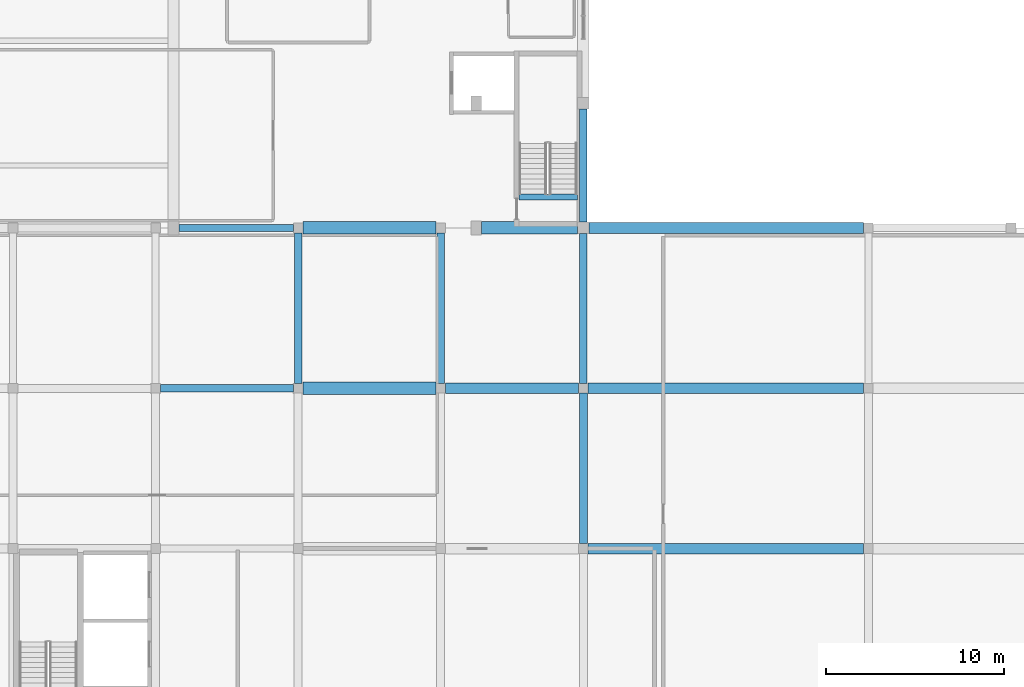
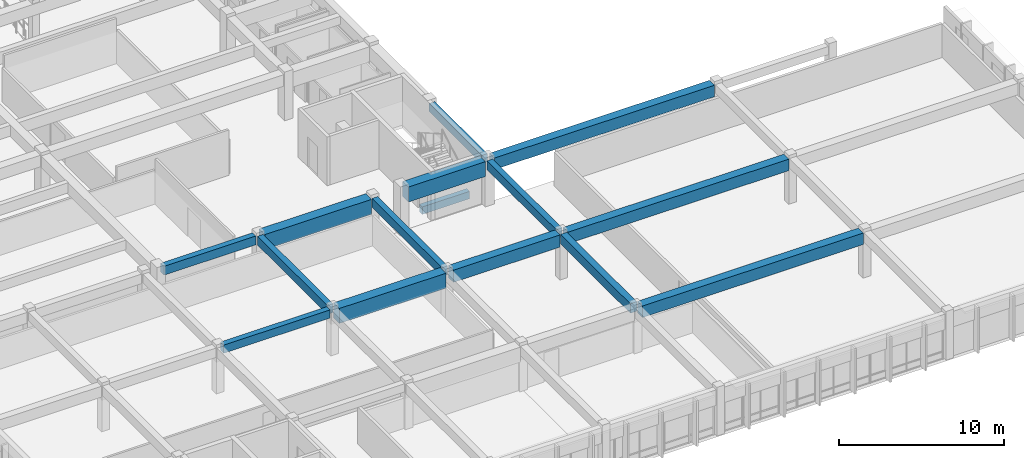
# One storey, part 32 of 77: 15 beams.
"""IFC4 building model written with IfcOpenShell, lengths in metres."""

from ifc_helpers import new_model, si_unit, direction, frame, origin, origin_2d, place, context, subcontext, project, spatial, rectangle, extrude, material, material_profile, profile_set, type_object, element, save


model = new_model("IFC4")

# Units and contexts
model_context = context("Model", 3, precision=1e-05, world=origin(), true_north=direction((0.0, 1.0)))
body_context = subcontext(model_context, "Body", "Model", "MODEL_VIEW")
ifc_project = project(units=[si_unit("LENGTHUNIT", "METRE"), si_unit("AREAUNIT", "SQUARE_METRE"), si_unit("VOLUMEUNIT", "CUBIC_METRE"), si_unit("PLANEANGLEUNIT", "RADIAN"), si_unit("MASSUNIT", "GRAM", prefix="KILO")], contexts=[model_context])

# Site, building, storey
site_placement = place(None, origin())
site = spatial("IfcSite", under=ifc_project, at=site_placement, CompositionType="ELEMENT")
building_placement = place(site_placement, origin())
building = spatial("IfcBuilding", under=site, at=building_placement, Name="Larkveld Mobility Hub", CompositionType="ELEMENT")
storey_placement = place(building_placement, frame((0.0, 0.0, 12.0)))
storey = spatial("IfcBuildingStorey", under=building, at=storey_placement, Name="L03", CompositionType="ELEMENT", Elevation=12.0)

# Beams
ifc_material_1 = material(Name="Precast concrete C50/60", Category="concrete")
ifc_material_profile_1 = material_profile(ifc_material_1, rectangle(XDim=0.60009765625, YDim=0.85009765625, at=origin_2d()), Name="PC ITB 600x850")
ifc_profile_set_1 = profile_set([ifc_material_profile_1], Name="Precast concrete C50/60")
beam_type_1 = type_object("IfcBeamType", Name="BM-ITB6085", PredefinedType="T_BEAM", material=ifc_profile_set_1)
for number, where, z_axis, x_axis, name in (
    (1, (152.27490234375, 10.0, 2.93505859375), (1.0, 0.0, 0.0), (0.0, 1.0, 0.0), "Primary E-W Girder L03-0704"),
    (2, (152.27490234375, 19.0, 2.93505859375), (1.0, 0.0, 0.0), (0.0, 1.0, 0.0), "Primary E-W Girder L03-0711"),
):
    element("IfcBeam", number, at=place(storey_placement, frame(where, z_axis=z_axis, x_axis=x_axis)), inside=storey, type_object=beam_type_1, Name=name, PredefinedType="T_BEAM", context=body_context, shape_type="SweptSolid", body=[
        extrude(rectangle(XDim=0.60009765625, YDim=0.85009765625, at=origin_2d()), origin(), (0.0, 0.0, 1.0), 15.4501953125),
    ])
beam_1_placement = place(storey_placement, frame((152.324951171875, 28.0, 2.93505859375), z_axis=(1.0, 0.0, 0.0), x_axis=(0.0, 1.0, 0.0)))
element("IfcBeam", 3, at=beam_1_placement, inside=storey, type_object=beam_type_1, Name="Primary E-W Girder L03-0718", PredefinedType="T_BEAM", context=body_context, shape_type="SweptSolid", body=[
    extrude(rectangle(XDim=0.60009765625, YDim=0.85009765625, at=origin_2d()), origin(), (0.0, 0.0, 1.0), 15.400146484375),
])
ifc_material_2 = material(Name="Concrete C40/50", Category="concrete")
ifc_material_profile_2 = material_profile(ifc_material_2, rectangle(XDim=0.35009765625, YDim=0.550048828125, at=origin_2d()), Name="RC BM 350x550")
ifc_profile_set_2 = profile_set([ifc_material_profile_2], Name="Concrete C40/50")
beam_type_2 = type_object("IfcBeamType", Name="BM-RC3555", PredefinedType="BEAM", material=ifc_profile_set_2)
beam_2_placement = place(storey_placement, frame((148.3798828125, 29.739990234375, -0.27001953125), z_axis=(1.0, 0.0, 0.0), x_axis=(0.0, 1.0, 0.0)))
element("IfcBeam", 4, at=beam_2_placement, inside=storey, type_object=beam_type_2, Name="Core C1 Stair Header Beam L03", PredefinedType="BEAM", context=body_context, shape_type="SweptSolid", body=[
    extrude(rectangle(XDim=0.35009765625, YDim=0.550048828125, at=origin_2d()), origin(), (0.0, 0.0, 1.0), 3.2900390625),
])
ifc_material_profile_3 = material_profile(ifc_material_2, rectangle(XDim=0.39990234375, YDim=0.60009765625, at=origin_2d()), Name="RC BM 400x600")
ifc_profile_set_3 = profile_set([ifc_material_profile_3], Name="Concrete C40/50")
beam_type_3 = type_object("IfcBeamType", Name="BM-RC4060", PredefinedType="BEAM", material=ifc_profile_set_3)
beam_3_placement = place(storey_placement, frame((128.27490234375, 19.0, 3.06005859375), z_axis=(1.0, 0.0, 0.0), x_axis=(0.0, 1.0, 0.0)))
element("IfcBeam", 5, at=beam_3_placement, inside=storey, type_object=beam_type_3, Name="Primary E-W Girder L03-0708", PredefinedType="BEAM", context=body_context, shape_type="SweptSolid", body=[
    extrude(rectangle(XDim=0.39990234375, YDim=0.60009765625, at=origin_2d()), origin(), (0.0, 0.0, 1.0), 7.4501953125),
])
beam_4_placement = place(storey_placement, frame((152.0, 28.324951171875, 3.06005859375), z_axis=(0.0, 1.0, 0.0), x_axis=(-1.0, 0.0, 0.0)))
element("IfcBeam", 6, at=beam_4_placement, inside=storey, type_object=beam_type_3, Name="Primary N-S Girder L03-0837", PredefinedType="BEAM", context=body_context, shape_type="SweptSolid", body=[
    extrude(rectangle(XDim=0.39990234375, YDim=0.60009765625, at=origin_2d()), origin(), (0.0, 0.0, 1.0), 6.35009765625),
])
ifc_material_profile_4 = material_profile(ifc_material_2, rectangle(XDim=0.39990234375, YDim=0.64990234375, at=origin_2d()), Name="RC BM 400x650")
ifc_profile_set_4 = profile_set([ifc_material_profile_4], Name="Concrete C40/50")
beam_type_4 = type_object("IfcBeamType", Name="BM-RC4065", PredefinedType="BEAM", material=ifc_profile_set_4)
beam_5_placement = place(storey_placement, frame((129.300048828125, 28.0, 3.034912109375), z_axis=(1.0, 0.0, 0.0), x_axis=(0.0, 1.0, 0.0)))
element("IfcBeam", 7, at=beam_5_placement, inside=storey, type_object=beam_type_4, Name="Primary E-W Girder L03-0715", PredefinedType="BEAM", context=body_context, shape_type="SweptSolid", body=[
    extrude(rectangle(XDim=0.39990234375, YDim=0.64990234375, at=origin_2d()), origin(), (0.0, 0.0, 1.0), 6.425048828125),
])
for number, where, z_axis, x_axis, name in (
    (8, (136.0, 19.27490234375, 3.034912109375), (0.0, 1.0, 0.0), (-1.0, 0.0, 0.0), "Primary N-S Girder L03-0822"),
    (9, (144.0, 19.27490234375, 3.034912109375), (0.0, 1.0, 0.0), (-1.0, 0.0, 0.0), "Primary N-S Girder L03-0827"),
):
    element("IfcBeam", number, at=place(storey_placement, frame(where, z_axis=z_axis, x_axis=x_axis)), inside=storey, type_object=beam_type_4, Name=name, PredefinedType="BEAM", context=body_context, shape_type="SweptSolid", body=[
        extrude(rectangle(XDim=0.39990234375, YDim=0.64990234375, at=origin_2d()), origin(), (0.0, 0.0, 1.0), 8.4501953125),
    ])
beam_6_placement = place(storey_placement, frame((152.0, 19.27490234375, 3.034912109375), z_axis=(0.0, 1.0, 0.0), x_axis=(-1.0, 0.0, 0.0)))
element("IfcBeam", 10, at=beam_6_placement, inside=storey, type_object=beam_type_4, Name="Primary N-S Girder L03-0836", PredefinedType="BEAM", context=body_context, shape_type="SweptSolid", body=[
    extrude(rectangle(XDim=0.39990234375, YDim=0.64990234375, at=origin_2d()), origin(), (0.0, 0.0, 1.0), 8.400146484375),
])
ifc_material_profile_5 = material_profile(ifc_material_2, rectangle(XDim=0.449951171875, YDim=0.699951171875, at=origin_2d()), Name="RC BM 450x700")
ifc_profile_set_5 = profile_set([ifc_material_profile_5], Name="Concrete C40/50")
beam_type_5 = type_object("IfcBeamType", Name="BM-RC4570", PredefinedType="BEAM", material=ifc_profile_set_5)
beam_7_placement = place(storey_placement, frame((152.0, 10.27490234375, 3.010009765625), z_axis=(0.0, 1.0, 0.0), x_axis=(-1.0, 0.0, 0.0)))
element("IfcBeam", 11, at=beam_7_placement, inside=storey, type_object=beam_type_5, Name="Primary N-S Girder L03-0835", PredefinedType="BEAM", context=body_context, shape_type="SweptSolid", body=[
    extrude(rectangle(XDim=0.449951171875, YDim=0.699951171875, at=origin_2d()), origin(), (0.0, 0.0, 1.0), 8.4501953125),
])
ifc_material_profile_6 = material_profile(ifc_material_2, rectangle(XDim=0.60009765625, YDim=0.89990234375, at=origin_2d()), Name="RC BM 600x900")
ifc_profile_set_6 = profile_set([ifc_material_profile_6], Name="Concrete C40/50")
beam_type_6 = type_object("IfcBeamType", Name="BM-RC6090", PredefinedType="BEAM", material=ifc_profile_set_6)
beam_8_placement = place(storey_placement, frame((144.27490234375, 19.0, 2.909912109375), z_axis=(1.0, 0.0, 0.0), x_axis=(0.0, 1.0, 0.0)))
element("IfcBeam", 12, at=beam_8_placement, inside=storey, type_object=beam_type_6, Name="Primary E-W Girder L03-0710", PredefinedType="BEAM", context=body_context, shape_type="SweptSolid", body=[
    extrude(rectangle(XDim=0.60009765625, YDim=0.89990234375, at=origin_2d()), origin(), (0.0, 0.0, 1.0), 7.4501953125),
])
ifc_material_profile_7 = material_profile(ifc_material_2, rectangle(XDim=0.699951171875, YDim=1.10009765625, at=origin_2d()), Name="RC BM 700x1100")
ifc_profile_set_7 = profile_set([ifc_material_profile_7], Name="Concrete C40/50")
beam_type_7 = type_object("IfcBeamType", Name="BM-RC70110", PredefinedType="BEAM", material=ifc_profile_set_7)
for number, where, z_axis, x_axis, name in (
    (13, (136.27490234375, 19.0, 2.81005859375), (1.0, 0.0, 0.0), (0.0, 1.0, 0.0), "Primary E-W Girder L03-0709"),
    (14, (136.27490234375, 28.0, 2.81005859375), (1.0, 0.0, 0.0), (0.0, 1.0, 0.0), "Primary E-W Girder L03-0716"),
):
    element("IfcBeam", number, at=place(storey_placement, frame(where, z_axis=z_axis, x_axis=x_axis)), inside=storey, type_object=beam_type_7, Name=name, PredefinedType="BEAM", context=body_context, shape_type="SweptSolid", body=[
        extrude(rectangle(XDim=0.699951171875, YDim=1.10009765625, at=origin_2d()), origin(), (0.0, 0.0, 1.0), 7.4501953125),
    ])
beam_9_placement = place(storey_placement, frame((146.300048828125, 28.0, 2.81005859375), z_axis=(1.0, 0.0, 0.0), x_axis=(0.0, 1.0, 0.0)))
element("IfcBeam", 15, at=beam_9_placement, inside=storey, type_object=beam_type_7, Name="Primary E-W Girder L03-0717", PredefinedType="BEAM", context=body_context, shape_type="SweptSolid", body=[
    extrude(rectangle(XDim=0.699951171875, YDim=1.10009765625, at=origin_2d()), origin(), (0.0, 0.0, 1.0), 5.375),
])

save(model, "model.ifc")
